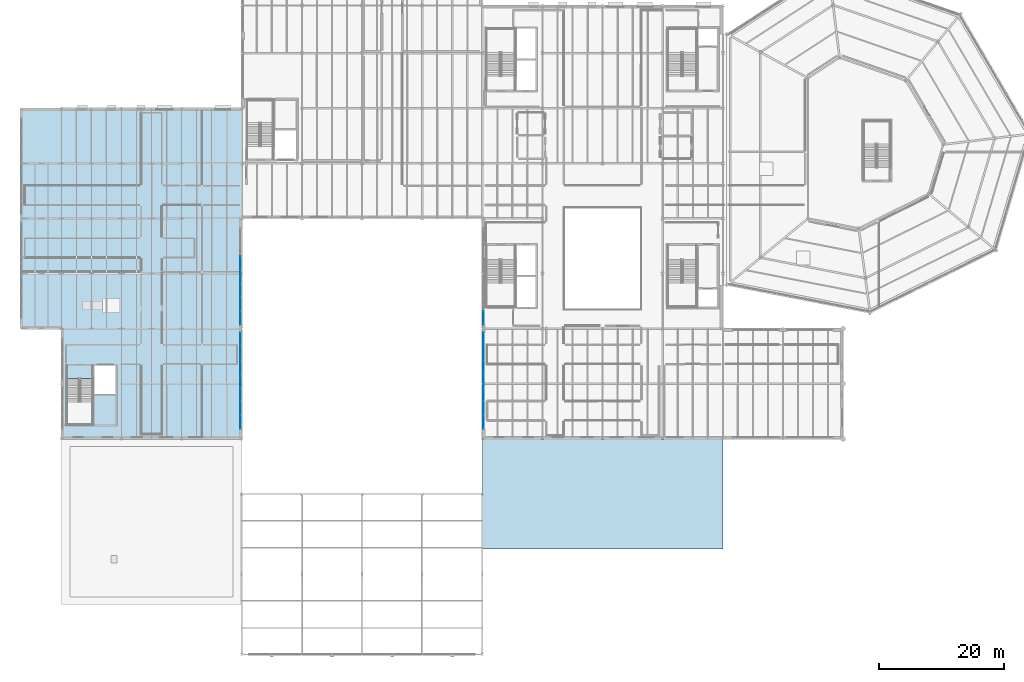
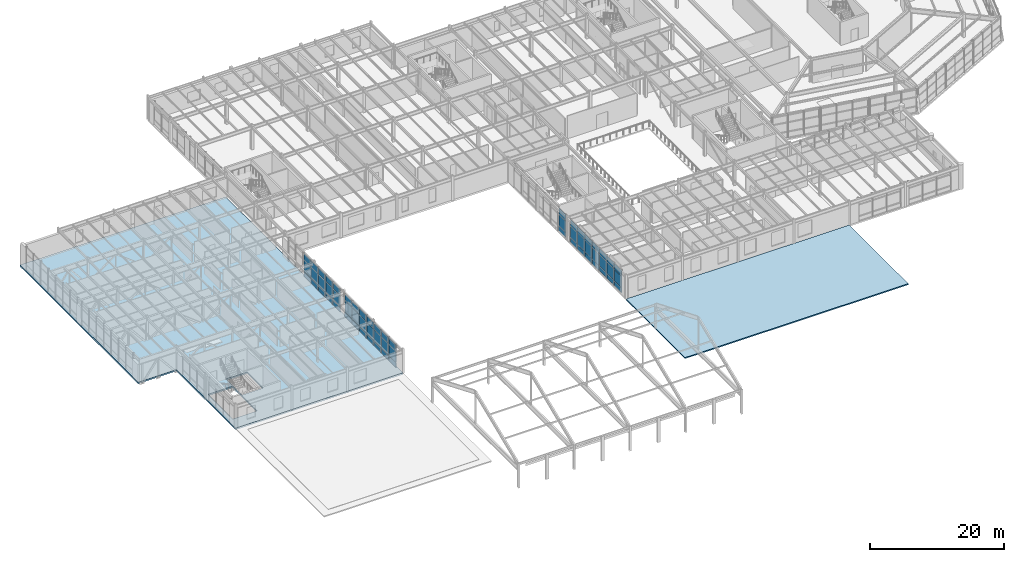
# One storey, part 50 of 88: 60 plates, 2 slabs, 4 elements without a shape of their own.
"""IFC4 building model written with IfcOpenShell, lengths in metres."""

import ifcopenshell
import ifcopenshell.guid

model = None  # the IFC model being written
_history = None  # IfcOwnerHistory: only IFC2X3 demands one
_inside = {}  # id of a spatial element -> (the spatial element, [elements in it])
_under = {}  # id of a project, library or spatial element -> (it, [spatial elements below it])
_declared = {}  # id of a project -> (the project, [libraries it declares])
_typed = {}  # id of a type object -> (the type object, [elements of that type])
_made_of = {}  # id of a material, layer set ... -> (it, [elements and type objects made of it])


def new_model(schema):
    """Start an empty IFC model of exactly this schema.

    Asked for "IFC4X3", IfcOpenShell would pick the latest addendum, in which some entities
    have other attributes; the version numbers below select the first issue.
    IFC2X3 requires an IfcOwnerHistory on every rooted entity: one is made here for all.
    """
    global model, _history
    if schema == "IFC4X3":
        model = ifcopenshell.file(schema_version=(4, 3, 0, 0))
    else:
        model = ifcopenshell.file(schema=schema)
    _inside.clear()
    _under.clear()
    _declared.clear()
    _typed.clear()
    _made_of.clear()
    _history = None
    if model.schema == "IFC2X3":
        org = make("IfcOrganization", Name="unknown")
        user = make(
            "IfcPersonAndOrganization",
            ThePerson=make("IfcPerson", FamilyName="unknown"),
            TheOrganization=org,
        )
        app = make(
            "IfcApplication",
            ApplicationDeveloper=org,
            Version="unknown",
            ApplicationFullName="unknown",
            ApplicationIdentifier="unknown",
        )
        _history = make(
            "IfcOwnerHistory",
            OwningUser=user,
            OwningApplication=app,
            ChangeAction="ADDED",
            CreationDate=0,
        )
    return model


def make(cls, **values):
    """One entity of the class cls with the attributes given. An attribute that is None is left unset."""
    return model.create_entity(
        cls, **{name: value for name, value in values.items() if value is not None}
    )


def rooted(cls, **values):
    """An entity with a GlobalId (a new one), such as an element, a storey or a relation."""
    return make(cls, GlobalId=ifcopenshell.guid.new(), OwnerHistory=_history, **values)


def si_unit(unit_type, name, prefix=None):
    """IfcSIUnit, for example si_unit("LENGTHUNIT", "METRE", prefix="MILLI")."""
    return make("IfcSIUnit", UnitType=unit_type, Prefix=prefix, Name=name)


def assignment(units):
    """IfcUnitAssignment: the units of a project."""
    return None if units is None else make("IfcUnitAssignment", Units=units)


def point(xyz):
    """IfcCartesianPoint."""
    return None if xyz is None else make("IfcCartesianPoint", Coordinates=xyz)


def direction(xyz):
    """IfcDirection."""
    return None if xyz is None else make("IfcDirection", DirectionRatios=xyz)


def frame(location, z_axis=None, x_axis=None):
    """IfcAxis2Placement3D, a coordinate frame: its origin and axes. An axis left out is left unset."""
    return make(
        "IfcAxis2Placement3D",
        Location=point(location),
        Axis=direction(z_axis),
        RefDirection=direction(x_axis),
    )


def frame_2d(location, x_axis=None):
    """IfcAxis2Placement2D, a coordinate frame in the plane: its origin and x axis."""
    return make(
        "IfcAxis2Placement2D", Location=point(location), RefDirection=direction(x_axis)
    )


def origin():
    """The frame at (0, 0, 0) with its axes left unset."""
    return frame((0.0, 0.0, 0.0))


def origin_2d():
    """The frame at (0, 0) in the plane with its x axis left unset."""
    return frame_2d((0.0, 0.0))


def place(relative_to, where):
    """IfcLocalPlacement: puts the frame where relative to a parent placement (None: the world)."""
    return make(
        "IfcLocalPlacement", PlacementRelTo=relative_to, RelativePlacement=where
    )


def context(
    kind, dimensions, precision=None, world=None, true_north=None, identifier=None
):
    """IfcGeometricRepresentationContext, for example the 3D "Model" context."""
    return make(
        "IfcGeometricRepresentationContext",
        ContextIdentifier=identifier,
        ContextType=kind,
        CoordinateSpaceDimension=dimensions,
        Precision=precision,
        WorldCoordinateSystem=world,
        TrueNorth=true_north,
    )


def subcontext(parent, identifier, kind, view, scale=None):
    """IfcGeometricRepresentationSubContext, for example "Body" below "Model"."""
    return make(
        "IfcGeometricRepresentationSubContext",
        ContextIdentifier=identifier,
        ContextType=kind,
        ParentContext=parent,
        TargetScale=scale,
        TargetView=view,
    )


def project(units=None, contexts=None):
    """IfcProject with its units and contexts."""
    return rooted(
        "IfcProject",
        Name="project",
        RepresentationContexts=contexts,
        UnitsInContext=assignment(units),
    )


def spatial(cls, under=None, at=None, **own):
    """A site, building, storey or space (cls), placed at a placement, below another one or the project."""
    s = rooted(cls, ObjectPlacement=at, **own)
    if under is not None:
        _under.setdefault(under.id(), (under, []))[1].append(s)
    return s


def polyline(points):
    """IfcPolyline through the points."""
    return make("IfcPolyline", Points=[point(p) for p in points])


def profile(cls, at=None, kind="AREA", **sizes):
    """A parametric profile (cls). Its sizes go by their IFC names, for example OverallWidth=200.0."""
    return make(cls, ProfileType=kind, Position=at, **sizes)


def rectangle(**sizes):
    """IfcRectangleProfileDef."""
    return profile("IfcRectangleProfileDef", **sizes)


def outline(outer, holes=None, kind="AREA"):
    """IfcArbitraryClosedProfileDef: a profile drawn as a closed curve; with holes, ...WithVoids."""
    if holes is None:
        return make("IfcArbitraryClosedProfileDef", ProfileType=kind, OuterCurve=outer)
    return make(
        "IfcArbitraryProfileDefWithVoids",
        ProfileType=kind,
        OuterCurve=outer,
        InnerCurves=holes,
    )


def extrude(swept, where, along, depth):
    """IfcExtrudedAreaSolid: the profile swept, set in the frame where, extruded along a direction by depth."""
    return make(
        "IfcExtrudedAreaSolid",
        SweptArea=swept,
        Position=where,
        ExtrudedDirection=direction(along),
        Depth=depth,
    )


def shape(context_of_items, identifier, shape_type, items):
    """IfcShapeRepresentation: the items that make up one representation, for example the "Body"."""
    return make(
        "IfcShapeRepresentation",
        ContextOfItems=context_of_items,
        RepresentationIdentifier=identifier,
        RepresentationType=shape_type,
        Items=items,
    )


def material(Name=None, Category=None):
    """IfcMaterial."""
    return make("IfcMaterial", Name=Name, Category=Category)


def layer(
    of_material, thickness, ventilated=None, Name=None, Category=None, Priority=None
):
    """IfcMaterialLayer: one layer of a wall or slab, of a material (None: an air gap)."""
    return make(
        "IfcMaterialLayer",
        Material=of_material,
        LayerThickness=thickness,
        IsVentilated=ventilated,
        Name=Name,
        Category=Category,
        Priority=Priority,
    )


def layer_set(layers, Name=None):
    """IfcMaterialLayerSet."""
    return make("IfcMaterialLayerSet", MaterialLayers=layers, LayerSetName=Name)


def made_of(thing, what):
    """Note that an element or type object is made of a material, layer set ...; save() writes the relation."""
    if what is not None:
        _made_of.setdefault(what.id(), (what, []))[1].append(thing)
    return thing


def type_object(cls, material=None, **own):
    """A type object (cls), such as IfcWallType, which elements share."""
    return made_of(rooted(cls, **own), material)


def element(
    cls,
    number,
    at=None,
    inside=None,
    cuts=None,
    type_object=None,
    material=None,
    context=None,
    identifier="Body",
    shape_type=None,
    held_by="IfcProductDefinitionShape",
    body=None,
    shapes=None,
    **own,
):
    """One element of the class cls, such as IfcWall. Its Tag is "e" and its number.

    at: its placement. inside: the storey or other place that contains it. cuts: it is an
    opening in that element (IfcRelVoidsElement). A single representation is given by context,
    identifier, shape_type and body (its items); several are given by shapes. held_by: the class
    of the entity that holds the representations. save() writes the other relations.
    """
    e = rooted(cls, Tag="e%d" % number, ObjectPlacement=at, **own)
    if body is not None:
        shapes = [shape(context, identifier, shape_type, body)]
    if shapes is not None:
        e.Representation = make(held_by, Representations=shapes)
    if inside is not None:
        _inside.setdefault(inside.id(), (inside, []))[1].append(e)
    if cuts is not None:
        rooted(
            "IfcRelVoidsElement", RelatingBuildingElement=cuts, RelatedOpeningElement=e
        )
    if type_object is not None:
        _typed.setdefault(type_object.id(), (type_object, []))[1].append(e)
    return made_of(e, material)


def aggregate(whole, parts):
    """IfcRelAggregates: a whole, such as a stair, and the parts it consists of."""
    return rooted("IfcRelAggregates", RelatingObject=whole, RelatedObjects=parts)


def save(model, path):
    """Write the relations noted so far, then the file.

    IfcRelAggregates (storeys below a building ...), IfcRelContainedInSpatialStructure (elements
    in a storey), IfcRelDefinesByType, IfcRelAssociatesMaterial and IfcRelDeclares: one each for
    every whole, place, type object, material and project.
    """
    for whole, parts in _under.values():
        aggregate(whole, parts)
    for where, things in _inside.values():
        rooted(
            "IfcRelContainedInSpatialStructure",
            RelatedElements=things,
            RelatingStructure=where,
        )
    for kind, things in _typed.values():
        rooted("IfcRelDefinesByType", RelatedObjects=things, RelatingType=kind)
    for what, things in _made_of.values():
        rooted("IfcRelAssociatesMaterial", RelatedObjects=things, RelatingMaterial=what)
    for by, libraries in _declared.values():
        rooted("IfcRelDeclares", RelatingContext=by, RelatedDefinitions=libraries)
    model.write(path)


model = new_model("IFC4")

# Units and contexts
model_context = context("Model", 3, precision=1e-05, world=origin(), true_north=direction((0.0, 1.0)))
body_context = subcontext(model_context, "Body", "Model", "MODEL_VIEW")
ifc_project = project(units=[si_unit("LENGTHUNIT", "METRE"), si_unit("AREAUNIT", "SQUARE_METRE"), si_unit("VOLUMEUNIT", "CUBIC_METRE"), si_unit("PLANEANGLEUNIT", "RADIAN"), si_unit("MASSUNIT", "GRAM", prefix="KILO")], contexts=[model_context])

# Site, building, storey
site_placement = place(None, origin())
site = spatial("IfcSite", under=ifc_project, at=site_placement, CompositionType="ELEMENT")
building_placement = place(site_placement, origin())
building = spatial("IfcBuilding", under=site, at=building_placement, Name="Sarnbrook Museum", CompositionType="ELEMENT")
storey_placement = place(building_placement, frame((0.0, 0.0, 10.10009765625)))
storey = spatial("IfcBuildingStorey", under=building, at=storey_placement, Name="L02", CompositionType="ELEMENT", Elevation=10.10009765625)

# Curtain wall, plates
ifc_material_1 = material(Name="Thermally Broken Anodised Aluminium 6063-T6", Category="aluminium")
curtain_wall_type = type_object("IfcCurtainWallType", Name="CurtainWall_GalleryRibbon", PredefinedType="NOTDEFINED", material=ifc_material_1)
curtain_wall_1_placement = place(storey_placement, origin())
curtain_wall_1 = element("IfcCurtainWall", 1, at=curtain_wall_1_placement, inside=storey, type_object=curtain_wall_type, Name="Gallery Ribbon Curtain Wall L02-12.1", PredefinedType="NOTDEFINED")
ifc_material_2 = material(Name="Double-Glazed Low-Iron Laminated Safety Glass", Category="glass")
ifc_layer_1 = layer(ifc_material_2, 0.031982421875)
ifc_layer_set_1 = layer_set([ifc_layer_1], Name="Double-Glazed Low-Iron Laminated Safety Glass")
plate_type_1 = type_object("IfcPlateType", Name="CW_GlazedPanel_32", PredefinedType="CURTAIN_PANEL", material=ifc_layer_set_1)
plate_1_placement = place(storey_placement, frame((42.18212890625, 41.9169921875, 1.949951171875), z_axis=(1.0, 0.0, 0.0), x_axis=(0.0, 1.0, 0.0)))
plate_1 = element("IfcPlate", 2, at=plate_1_placement, type_object=plate_type_1, Name="Gallery Ribbon Curtain Wall L02-12.1 Glazed Panel 1-2", PredefinedType="CURTAIN_PANEL", context=body_context, shape_type="SweptSolid", body=[
    extrude(rectangle(XDim=2.119384765625, YDim=2.030029296875, at=origin_2d()), origin(), (0.0, 0.0, 1.0), 0.031982421875),
])
plate_2_placement = place(storey_placement, frame((42.18212890625, 41.9169921875, 3.579833984375), z_axis=(1.0, 0.0, 0.0), x_axis=(0.0, 1.0, 0.0)))
plate_2 = element("IfcPlate", 3, at=plate_2_placement, type_object=plate_type_1, Name="Gallery Ribbon Curtain Wall L02-12.1 Glazed Panel 1-3", PredefinedType="CURTAIN_PANEL", context=body_context, shape_type="SweptSolid", body=[
    extrude(rectangle(XDim=2.119384765625, YDim=1.090087890625, at=origin_2d()), origin(), (0.0, 0.0, 1.0), 0.031982421875),
])
plate_3_placement = place(storey_placement, frame((42.18212890625, 44.111328125, 1.949951171875), z_axis=(1.0, 0.0, 0.0), x_axis=(0.0, 1.0, 0.0)))
plate_3 = element("IfcPlate", 4, at=plate_3_placement, type_object=plate_type_1, Name="Gallery Ribbon Curtain Wall L02-12.1 Glazed Panel 2-2", PredefinedType="CURTAIN_PANEL", context=body_context, shape_type="SweptSolid", body=[
    extrude(rectangle(XDim=2.119384765625, YDim=2.030029296875, at=origin_2d()), origin(), (0.0, 0.0, 1.0), 0.031982421875),
])
plate_4_placement = place(storey_placement, frame((42.18212890625, 44.111328125, 3.579833984375), z_axis=(1.0, 0.0, 0.0), x_axis=(0.0, 1.0, 0.0)))
plate_4 = element("IfcPlate", 5, at=plate_4_placement, type_object=plate_type_1, Name="Gallery Ribbon Curtain Wall L02-12.1 Glazed Panel 2-3", PredefinedType="CURTAIN_PANEL", context=body_context, shape_type="SweptSolid", body=[
    extrude(rectangle(XDim=2.119384765625, YDim=1.090087890625, at=origin_2d()), origin(), (0.0, 0.0, 1.0), 0.031982421875),
])
plate_5_placement = place(storey_placement, frame((42.18212890625, 46.3056640625, 1.949951171875), z_axis=(1.0, 0.0, 0.0), x_axis=(0.0, 1.0, 0.0)))
plate_5 = element("IfcPlate", 6, at=plate_5_placement, type_object=plate_type_1, Name="Gallery Ribbon Curtain Wall L02-12.1 Glazed Panel 3-2", PredefinedType="CURTAIN_PANEL", context=body_context, shape_type="SweptSolid", body=[
    extrude(rectangle(XDim=2.119384765625, YDim=2.030029296875, at=origin_2d()), origin(), (0.0, 0.0, 1.0), 0.031982421875),
])
plate_6_placement = place(storey_placement, frame((42.18212890625, 46.3056640625, 3.579833984375), z_axis=(1.0, 0.0, 0.0), x_axis=(0.0, 1.0, 0.0)))
plate_6 = element("IfcPlate", 7, at=plate_6_placement, type_object=plate_type_1, Name="Gallery Ribbon Curtain Wall L02-12.1 Glazed Panel 3-3", PredefinedType="CURTAIN_PANEL", context=body_context, shape_type="SweptSolid", body=[
    extrude(rectangle(XDim=2.119384765625, YDim=1.090087890625, at=origin_2d()), origin(), (0.0, 0.0, 1.0), 0.031982421875),
])
plate_7_placement = place(storey_placement, frame((42.18212890625, 48.5, 1.949951171875), z_axis=(1.0, 0.0, 0.0), x_axis=(0.0, 1.0, 0.0)))
plate_7 = element("IfcPlate", 8, at=plate_7_placement, type_object=plate_type_1, Name="Gallery Ribbon Curtain Wall L02-12.1 Glazed Panel 4-2", PredefinedType="CURTAIN_PANEL", context=body_context, shape_type="SweptSolid", body=[
    extrude(rectangle(XDim=2.119384765625, YDim=2.030029296875, at=origin_2d()), origin(), (0.0, 0.0, 1.0), 0.031982421875),
])
plate_8_placement = place(storey_placement, frame((42.18212890625, 48.5, 3.579833984375), z_axis=(1.0, 0.0, 0.0), x_axis=(0.0, 1.0, 0.0)))
plate_8 = element("IfcPlate", 9, at=plate_8_placement, type_object=plate_type_1, Name="Gallery Ribbon Curtain Wall L02-12.1 Glazed Panel 4-3", PredefinedType="CURTAIN_PANEL", context=body_context, shape_type="SweptSolid", body=[
    extrude(rectangle(XDim=2.119384765625, YDim=1.090087890625, at=origin_2d()), origin(), (0.0, 0.0, 1.0), 0.031982421875),
])
plate_9_placement = place(storey_placement, frame((42.18212890625, 50.6943359375, 1.949951171875), z_axis=(1.0, 0.0, 0.0), x_axis=(0.0, 1.0, 0.0)))
plate_9 = element("IfcPlate", 10, at=plate_9_placement, type_object=plate_type_1, Name="Gallery Ribbon Curtain Wall L02-12.1 Glazed Panel 5-2", PredefinedType="CURTAIN_PANEL", context=body_context, shape_type="SweptSolid", body=[
    extrude(rectangle(XDim=2.119384765625, YDim=2.030029296875, at=origin_2d()), origin(), (0.0, 0.0, 1.0), 0.031982421875),
])
plate_10_placement = place(storey_placement, frame((42.18212890625, 50.6943359375, 3.579833984375), z_axis=(1.0, 0.0, 0.0), x_axis=(0.0, 1.0, 0.0)))
plate_10 = element("IfcPlate", 11, at=plate_10_placement, type_object=plate_type_1, Name="Gallery Ribbon Curtain Wall L02-12.1 Glazed Panel 5-3", PredefinedType="CURTAIN_PANEL", context=body_context, shape_type="SweptSolid", body=[
    extrude(rectangle(XDim=2.119384765625, YDim=1.090087890625, at=origin_2d()), origin(), (0.0, 0.0, 1.0), 0.031982421875),
])
plate_11_placement = place(storey_placement, frame((42.18212890625, 52.888671875, 1.949951171875), z_axis=(1.0, 0.0, 0.0), x_axis=(0.0, 1.0, 0.0)))
plate_11 = element("IfcPlate", 12, at=plate_11_placement, type_object=plate_type_1, Name="Gallery Ribbon Curtain Wall L02-12.1 Glazed Panel 6-2", PredefinedType="CURTAIN_PANEL", context=body_context, shape_type="SweptSolid", body=[
    extrude(rectangle(XDim=2.119384765625, YDim=2.030029296875, at=origin_2d()), origin(), (0.0, 0.0, 1.0), 0.031982421875),
])
plate_12_placement = place(storey_placement, frame((42.18212890625, 52.888671875, 3.579833984375), z_axis=(1.0, 0.0, 0.0), x_axis=(0.0, 1.0, 0.0)))
plate_12 = element("IfcPlate", 13, at=plate_12_placement, type_object=plate_type_1, Name="Gallery Ribbon Curtain Wall L02-12.1 Glazed Panel 6-3", PredefinedType="CURTAIN_PANEL", context=body_context, shape_type="SweptSolid", body=[
    extrude(rectangle(XDim=2.119384765625, YDim=1.090087890625, at=origin_2d()), origin(), (0.0, 0.0, 1.0), 0.031982421875),
])
plate_13_placement = place(storey_placement, frame((42.18212890625, 55.0830078125, 1.949951171875), z_axis=(1.0, 0.0, 0.0), x_axis=(0.0, 1.0, 0.0)))
plate_13 = element("IfcPlate", 14, at=plate_13_placement, type_object=plate_type_1, Name="Gallery Ribbon Curtain Wall L02-12.1 Glazed Panel 7-2", PredefinedType="CURTAIN_PANEL", context=body_context, shape_type="SweptSolid", body=[
    extrude(rectangle(XDim=2.119384765625, YDim=2.030029296875, at=origin_2d()), origin(), (0.0, 0.0, 1.0), 0.031982421875),
])
plate_14_placement = place(storey_placement, frame((42.18212890625, 55.0830078125, 3.579833984375), z_axis=(1.0, 0.0, 0.0), x_axis=(0.0, 1.0, 0.0)))
plate_14 = element("IfcPlate", 15, at=plate_14_placement, type_object=plate_type_1, Name="Gallery Ribbon Curtain Wall L02-12.1 Glazed Panel 7-3", PredefinedType="CURTAIN_PANEL", context=body_context, shape_type="SweptSolid", body=[
    extrude(rectangle(XDim=2.119384765625, YDim=1.090087890625, at=origin_2d()), origin(), (0.0, 0.0, 1.0), 0.031982421875),
])

curtain_wall_2_placement = place(storey_placement, origin())
curtain_wall_2 = element("IfcCurtainWall", 16, at=curtain_wall_2_placement, inside=storey, type_object=curtain_wall_type, Name="Gallery Ribbon Curtain Wall L02-12.2", PredefinedType="NOTDEFINED")
plate_15_placement = place(storey_placement, frame((42.18212890625, 58.51708984375, 1.949951171875), z_axis=(1.0, 0.0, 0.0), x_axis=(0.0, 1.0, 0.0)))
plate_15 = element("IfcPlate", 17, at=plate_15_placement, type_object=plate_type_1, Name="Gallery Ribbon Curtain Wall L02-12.2 Glazed Panel 1-2", PredefinedType="CURTAIN_PANEL", context=body_context, shape_type="SweptSolid", body=[
    extrude(rectangle(XDim=2.119384765625, YDim=2.030029296875, at=origin_2d()), origin(), (0.0, 0.0, 1.0), 0.031982421875),
])
plate_16_placement = place(storey_placement, frame((42.18212890625, 58.51708984375, 3.579833984375), z_axis=(1.0, 0.0, 0.0), x_axis=(0.0, 1.0, 0.0)))
plate_16 = element("IfcPlate", 18, at=plate_16_placement, type_object=plate_type_1, Name="Gallery Ribbon Curtain Wall L02-12.2 Glazed Panel 1-3", PredefinedType="CURTAIN_PANEL", context=body_context, shape_type="SweptSolid", body=[
    extrude(rectangle(XDim=2.119384765625, YDim=1.090087890625, at=origin_2d()), origin(), (0.0, 0.0, 1.0), 0.031982421875),
])
plate_17_placement = place(storey_placement, frame((42.18212890625, 60.71142578125, 1.949951171875), z_axis=(1.0, 0.0, 0.0), x_axis=(0.0, 1.0, 0.0)))
plate_17 = element("IfcPlate", 19, at=plate_17_placement, type_object=plate_type_1, Name="Gallery Ribbon Curtain Wall L02-12.2 Glazed Panel 2-2", PredefinedType="CURTAIN_PANEL", context=body_context, shape_type="SweptSolid", body=[
    extrude(rectangle(XDim=2.119384765625, YDim=2.030029296875, at=origin_2d()), origin(), (0.0, 0.0, 1.0), 0.031982421875),
])
plate_18_placement = place(storey_placement, frame((42.18212890625, 60.71142578125, 3.579833984375), z_axis=(1.0, 0.0, 0.0), x_axis=(0.0, 1.0, 0.0)))
plate_18 = element("IfcPlate", 20, at=plate_18_placement, type_object=plate_type_1, Name="Gallery Ribbon Curtain Wall L02-12.2 Glazed Panel 2-3", PredefinedType="CURTAIN_PANEL", context=body_context, shape_type="SweptSolid", body=[
    extrude(rectangle(XDim=2.119384765625, YDim=1.090087890625, at=origin_2d()), origin(), (0.0, 0.0, 1.0), 0.031982421875),
])
plate_19_placement = place(storey_placement, frame((42.18212890625, 62.90576171875, 1.949951171875), z_axis=(1.0, 0.0, 0.0), x_axis=(0.0, 1.0, 0.0)))
plate_19 = element("IfcPlate", 21, at=plate_19_placement, type_object=plate_type_1, Name="Gallery Ribbon Curtain Wall L02-12.2 Glazed Panel 3-2", PredefinedType="CURTAIN_PANEL", context=body_context, shape_type="SweptSolid", body=[
    extrude(rectangle(XDim=2.119384765625, YDim=2.030029296875, at=origin_2d()), origin(), (0.0, 0.0, 1.0), 0.031982421875),
])
plate_20_placement = place(storey_placement, frame((42.18212890625, 62.90576171875, 3.579833984375), z_axis=(1.0, 0.0, 0.0), x_axis=(0.0, 1.0, 0.0)))
plate_20 = element("IfcPlate", 22, at=plate_20_placement, type_object=plate_type_1, Name="Gallery Ribbon Curtain Wall L02-12.2 Glazed Panel 3-3", PredefinedType="CURTAIN_PANEL", context=body_context, shape_type="SweptSolid", body=[
    extrude(rectangle(XDim=2.119384765625, YDim=1.090087890625, at=origin_2d()), origin(), (0.0, 0.0, 1.0), 0.031982421875),
])
plate_21_placement = place(storey_placement, frame((42.18212890625, 65.10009765625, 1.949951171875), z_axis=(1.0, 0.0, 0.0), x_axis=(0.0, 1.0, 0.0)))
plate_21 = element("IfcPlate", 23, at=plate_21_placement, type_object=plate_type_1, Name="Gallery Ribbon Curtain Wall L02-12.2 Glazed Panel 4-2", PredefinedType="CURTAIN_PANEL", context=body_context, shape_type="SweptSolid", body=[
    extrude(rectangle(XDim=2.119384765625, YDim=2.030029296875, at=origin_2d()), origin(), (0.0, 0.0, 1.0), 0.031982421875),
])
plate_22_placement = place(storey_placement, frame((42.18212890625, 65.10009765625, 3.579833984375), z_axis=(1.0, 0.0, 0.0), x_axis=(0.0, 1.0, 0.0)))
plate_22 = element("IfcPlate", 24, at=plate_22_placement, type_object=plate_type_1, Name="Gallery Ribbon Curtain Wall L02-12.2 Glazed Panel 4-3", PredefinedType="CURTAIN_PANEL", context=body_context, shape_type="SweptSolid", body=[
    extrude(rectangle(XDim=2.119384765625, YDim=1.090087890625, at=origin_2d()), origin(), (0.0, 0.0, 1.0), 0.031982421875),
])
plate_23_placement = place(storey_placement, frame((42.18212890625, 67.294189453125, 1.949951171875), z_axis=(1.0, 0.0, 0.0), x_axis=(0.0, 1.0, 0.0)))
plate_23 = element("IfcPlate", 25, at=plate_23_placement, type_object=plate_type_1, Name="Gallery Ribbon Curtain Wall L02-12.2 Glazed Panel 5-2", PredefinedType="CURTAIN_PANEL", context=body_context, shape_type="SweptSolid", body=[
    extrude(rectangle(XDim=2.119384765625, YDim=2.030029296875, at=origin_2d()), origin(), (0.0, 0.0, 1.0), 0.031982421875),
])
plate_24_placement = place(storey_placement, frame((42.18212890625, 67.294189453125, 3.579833984375), z_axis=(1.0, 0.0, 0.0), x_axis=(0.0, 1.0, 0.0)))
plate_24 = element("IfcPlate", 26, at=plate_24_placement, type_object=plate_type_1, Name="Gallery Ribbon Curtain Wall L02-12.2 Glazed Panel 5-3", PredefinedType="CURTAIN_PANEL", context=body_context, shape_type="SweptSolid", body=[
    extrude(rectangle(XDim=2.119384765625, YDim=1.090087890625, at=origin_2d()), origin(), (0.0, 0.0, 1.0), 0.031982421875),
])

curtain_wall_3_placement = place(storey_placement, origin())
curtain_wall_3 = element("IfcCurtainWall", 27, at=curtain_wall_3_placement, inside=storey, type_object=curtain_wall_type, Name="Gallery Ribbon Curtain Wall L02-14.1", PredefinedType="NOTDEFINED")
plate_25_placement = place(storey_placement, frame((81.01806640625, 58.51708984375, 1.949951171875), z_axis=(-1.0, 0.0, 0.0), x_axis=(0.0, -1.0, 0.0)))
plate_25 = element("IfcPlate", 28, at=plate_25_placement, type_object=plate_type_1, Name="Gallery Ribbon Curtain Wall L02-14.1 Glazed Panel 7-2", PredefinedType="CURTAIN_PANEL", context=body_context, shape_type="SweptSolid", body=[
    extrude(rectangle(XDim=2.119384765625, YDim=2.030029296875, at=origin_2d()), origin(), (0.0, 0.0, 1.0), 0.031982421875),
])
plate_26_placement = place(storey_placement, frame((81.01806640625, 58.51708984375, 3.579833984375), z_axis=(-1.0, 0.0, 0.0), x_axis=(0.0, -1.0, 0.0)))
plate_26 = element("IfcPlate", 29, at=plate_26_placement, type_object=plate_type_1, Name="Gallery Ribbon Curtain Wall L02-14.1 Glazed Panel 7-3", PredefinedType="CURTAIN_PANEL", context=body_context, shape_type="SweptSolid", body=[
    extrude(rectangle(XDim=2.119384765625, YDim=1.090087890625, at=origin_2d()), origin(), (0.0, 0.0, 1.0), 0.031982421875),
])

curtain_wall_4_placement = place(storey_placement, origin())
curtain_wall_4 = element("IfcCurtainWall", 30, at=curtain_wall_4_placement, inside=storey, type_object=curtain_wall_type, Name="Gallery Ribbon Curtain Wall L02-14.2", PredefinedType="NOTDEFINED")
plate_27_placement = place(storey_placement, frame((81.01806640625, 55.0830078125, 1.949951171875), z_axis=(-1.0, 0.0, 0.0), x_axis=(0.0, -1.0, 0.0)))
plate_27 = element("IfcPlate", 31, at=plate_27_placement, type_object=plate_type_1, Name="Gallery Ribbon Curtain Wall L02-14.2 Glazed Panel 1-2", PredefinedType="CURTAIN_PANEL", context=body_context, shape_type="SweptSolid", body=[
    extrude(rectangle(XDim=2.119384765625, YDim=2.030029296875, at=origin_2d()), origin(), (0.0, 0.0, 1.0), 0.031982421875),
])
plate_28_placement = place(storey_placement, frame((81.01806640625, 55.0830078125, 3.579833984375), z_axis=(-1.0, 0.0, 0.0), x_axis=(0.0, -1.0, 0.0)))
plate_28 = element("IfcPlate", 32, at=plate_28_placement, type_object=plate_type_1, Name="Gallery Ribbon Curtain Wall L02-14.2 Glazed Panel 1-3", PredefinedType="CURTAIN_PANEL", context=body_context, shape_type="SweptSolid", body=[
    extrude(rectangle(XDim=2.119384765625, YDim=1.090087890625, at=origin_2d()), origin(), (0.0, 0.0, 1.0), 0.031982421875),
])
plate_29_placement = place(storey_placement, frame((81.01806640625, 52.888671875, 1.949951171875), z_axis=(-1.0, 0.0, 0.0), x_axis=(0.0, -1.0, 0.0)))
plate_29 = element("IfcPlate", 33, at=plate_29_placement, type_object=plate_type_1, Name="Gallery Ribbon Curtain Wall L02-14.2 Glazed Panel 2-2", PredefinedType="CURTAIN_PANEL", context=body_context, shape_type="SweptSolid", body=[
    extrude(rectangle(XDim=2.119384765625, YDim=2.030029296875, at=origin_2d()), origin(), (0.0, 0.0, 1.0), 0.031982421875),
])
plate_30_placement = place(storey_placement, frame((81.01806640625, 52.888671875, 3.579833984375), z_axis=(-1.0, 0.0, 0.0), x_axis=(0.0, -1.0, 0.0)))
plate_30 = element("IfcPlate", 34, at=plate_30_placement, type_object=plate_type_1, Name="Gallery Ribbon Curtain Wall L02-14.2 Glazed Panel 2-3", PredefinedType="CURTAIN_PANEL", context=body_context, shape_type="SweptSolid", body=[
    extrude(rectangle(XDim=2.119384765625, YDim=1.090087890625, at=origin_2d()), origin(), (0.0, 0.0, 1.0), 0.031982421875),
])
plate_31_placement = place(storey_placement, frame((81.01806640625, 50.6943359375, 1.949951171875), z_axis=(-1.0, 0.0, 0.0), x_axis=(0.0, -1.0, 0.0)))
plate_31 = element("IfcPlate", 35, at=plate_31_placement, type_object=plate_type_1, Name="Gallery Ribbon Curtain Wall L02-14.2 Glazed Panel 3-2", PredefinedType="CURTAIN_PANEL", context=body_context, shape_type="SweptSolid", body=[
    extrude(rectangle(XDim=2.119384765625, YDim=2.030029296875, at=origin_2d()), origin(), (0.0, 0.0, 1.0), 0.031982421875),
])
plate_32_placement = place(storey_placement, frame((81.01806640625, 50.6943359375, 3.579833984375), z_axis=(-1.0, 0.0, 0.0), x_axis=(0.0, -1.0, 0.0)))
plate_32 = element("IfcPlate", 36, at=plate_32_placement, type_object=plate_type_1, Name="Gallery Ribbon Curtain Wall L02-14.2 Glazed Panel 3-3", PredefinedType="CURTAIN_PANEL", context=body_context, shape_type="SweptSolid", body=[
    extrude(rectangle(XDim=2.119384765625, YDim=1.090087890625, at=origin_2d()), origin(), (0.0, 0.0, 1.0), 0.031982421875),
])
plate_33_placement = place(storey_placement, frame((81.01806640625, 48.5, 1.949951171875), z_axis=(-1.0, 0.0, 0.0), x_axis=(0.0, -1.0, 0.0)))
plate_33 = element("IfcPlate", 37, at=plate_33_placement, type_object=plate_type_1, Name="Gallery Ribbon Curtain Wall L02-14.2 Glazed Panel 4-2", PredefinedType="CURTAIN_PANEL", context=body_context, shape_type="SweptSolid", body=[
    extrude(rectangle(XDim=2.119384765625, YDim=2.030029296875, at=origin_2d()), origin(), (0.0, 0.0, 1.0), 0.031982421875),
])
plate_34_placement = place(storey_placement, frame((81.01806640625, 48.5, 3.579833984375), z_axis=(-1.0, 0.0, 0.0), x_axis=(0.0, -1.0, 0.0)))
plate_34 = element("IfcPlate", 38, at=plate_34_placement, type_object=plate_type_1, Name="Gallery Ribbon Curtain Wall L02-14.2 Glazed Panel 4-3", PredefinedType="CURTAIN_PANEL", context=body_context, shape_type="SweptSolid", body=[
    extrude(rectangle(XDim=2.119384765625, YDim=1.090087890625, at=origin_2d()), origin(), (0.0, 0.0, 1.0), 0.031982421875),
])
plate_35_placement = place(storey_placement, frame((81.01806640625, 46.3056640625, 1.949951171875), z_axis=(-1.0, 0.0, 0.0), x_axis=(0.0, -1.0, 0.0)))
plate_35 = element("IfcPlate", 39, at=plate_35_placement, type_object=plate_type_1, Name="Gallery Ribbon Curtain Wall L02-14.2 Glazed Panel 5-2", PredefinedType="CURTAIN_PANEL", context=body_context, shape_type="SweptSolid", body=[
    extrude(rectangle(XDim=2.119384765625, YDim=2.030029296875, at=origin_2d()), origin(), (0.0, 0.0, 1.0), 0.031982421875),
])
plate_36_placement = place(storey_placement, frame((81.01806640625, 46.3056640625, 3.579833984375), z_axis=(-1.0, 0.0, 0.0), x_axis=(0.0, -1.0, 0.0)))
plate_36 = element("IfcPlate", 40, at=plate_36_placement, type_object=plate_type_1, Name="Gallery Ribbon Curtain Wall L02-14.2 Glazed Panel 5-3", PredefinedType="CURTAIN_PANEL", context=body_context, shape_type="SweptSolid", body=[
    extrude(rectangle(XDim=2.119384765625, YDim=1.090087890625, at=origin_2d()), origin(), (0.0, 0.0, 1.0), 0.031982421875),
])
plate_37_placement = place(storey_placement, frame((81.01806640625, 44.111328125, 1.949951171875), z_axis=(-1.0, 0.0, 0.0), x_axis=(0.0, -1.0, 0.0)))
plate_37 = element("IfcPlate", 41, at=plate_37_placement, type_object=plate_type_1, Name="Gallery Ribbon Curtain Wall L02-14.2 Glazed Panel 6-2", PredefinedType="CURTAIN_PANEL", context=body_context, shape_type="SweptSolid", body=[
    extrude(rectangle(XDim=2.119384765625, YDim=2.030029296875, at=origin_2d()), origin(), (0.0, 0.0, 1.0), 0.031982421875),
])
plate_38_placement = place(storey_placement, frame((81.01806640625, 44.111328125, 3.579833984375), z_axis=(-1.0, 0.0, 0.0), x_axis=(0.0, -1.0, 0.0)))
plate_38 = element("IfcPlate", 42, at=plate_38_placement, type_object=plate_type_1, Name="Gallery Ribbon Curtain Wall L02-14.2 Glazed Panel 6-3", PredefinedType="CURTAIN_PANEL", context=body_context, shape_type="SweptSolid", body=[
    extrude(rectangle(XDim=2.119384765625, YDim=1.090087890625, at=origin_2d()), origin(), (0.0, 0.0, 1.0), 0.031982421875),
])
plate_39_placement = place(storey_placement, frame((81.01806640625, 41.9169921875, 1.949951171875), z_axis=(-1.0, 0.0, 0.0), x_axis=(0.0, -1.0, 0.0)))
plate_39 = element("IfcPlate", 43, at=plate_39_placement, type_object=plate_type_1, Name="Gallery Ribbon Curtain Wall L02-14.2 Glazed Panel 7-2", PredefinedType="CURTAIN_PANEL", context=body_context, shape_type="SweptSolid", body=[
    extrude(rectangle(XDim=2.119384765625, YDim=2.030029296875, at=origin_2d()), origin(), (0.0, 0.0, 1.0), 0.031982421875),
])
plate_40_placement = place(storey_placement, frame((81.01806640625, 41.9169921875, 3.579833984375), z_axis=(-1.0, 0.0, 0.0), x_axis=(0.0, -1.0, 0.0)))
plate_40 = element("IfcPlate", 44, at=plate_40_placement, type_object=plate_type_1, Name="Gallery Ribbon Curtain Wall L02-14.2 Glazed Panel 7-3", PredefinedType="CURTAIN_PANEL", context=body_context, shape_type="SweptSolid", body=[
    extrude(rectangle(XDim=2.119384765625, YDim=1.090087890625, at=origin_2d()), origin(), (0.0, 0.0, 1.0), 0.031982421875),
])

# Plate
ifc_material_3 = material(Name="Patinated Architectural Bronze")
ifc_layer_2 = layer(ifc_material_3, 0.044921875)
ifc_layer_set_2 = layer_set([ifc_layer_2], Name="Patinated Architectural Bronze")
plate_type_2 = type_object("IfcPlateType", Name="CW_SpandrelPanel_45", PredefinedType="CURTAIN_PANEL", material=ifc_layer_set_2)
plate_41_placement = place(storey_placement, frame((42.175537109375, 41.9169921875, 0.449951171875), z_axis=(1.0, 0.0, 0.0), x_axis=(0.0, 1.0, 0.0)))
plate_41 = element("IfcPlate", 45, at=plate_41_placement, type_object=plate_type_2, Name="Gallery Ribbon Curtain Wall L02-12.1 Spandrel Panel 1-1", PredefinedType="CURTAIN_PANEL", context=body_context, shape_type="SweptSolid", body=[
    extrude(rectangle(XDim=2.119384765625, YDim=0.830078125, at=origin_2d()), origin(), (0.0, 0.0, 1.0), 0.044921875),
])

plate_42_placement = place(storey_placement, frame((42.175537109375, 44.111328125, 0.449951171875), z_axis=(1.0, 0.0, 0.0), x_axis=(0.0, 1.0, 0.0)))
plate_42 = element("IfcPlate", 46, at=plate_42_placement, type_object=plate_type_2, Name="Gallery Ribbon Curtain Wall L02-12.1 Spandrel Panel 2-1", PredefinedType="CURTAIN_PANEL", context=body_context, shape_type="SweptSolid", body=[
    extrude(rectangle(XDim=2.119384765625, YDim=0.830078125, at=origin_2d()), origin(), (0.0, 0.0, 1.0), 0.044921875),
])

plate_43_placement = place(storey_placement, frame((42.175537109375, 46.3056640625, 0.449951171875), z_axis=(1.0, 0.0, 0.0), x_axis=(0.0, 1.0, 0.0)))
plate_43 = element("IfcPlate", 47, at=plate_43_placement, type_object=plate_type_2, Name="Gallery Ribbon Curtain Wall L02-12.1 Spandrel Panel 3-1", PredefinedType="CURTAIN_PANEL", context=body_context, shape_type="SweptSolid", body=[
    extrude(rectangle(XDim=2.119384765625, YDim=0.830078125, at=origin_2d()), origin(), (0.0, 0.0, 1.0), 0.044921875),
])

plate_44_placement = place(storey_placement, frame((42.175537109375, 48.5, 0.449951171875), z_axis=(1.0, 0.0, 0.0), x_axis=(0.0, 1.0, 0.0)))
plate_44 = element("IfcPlate", 48, at=plate_44_placement, type_object=plate_type_2, Name="Gallery Ribbon Curtain Wall L02-12.1 Spandrel Panel 4-1", PredefinedType="CURTAIN_PANEL", context=body_context, shape_type="SweptSolid", body=[
    extrude(rectangle(XDim=2.119384765625, YDim=0.830078125, at=origin_2d()), origin(), (0.0, 0.0, 1.0), 0.044921875),
])

plate_45_placement = place(storey_placement, frame((42.175537109375, 50.6943359375, 0.449951171875), z_axis=(1.0, 0.0, 0.0), x_axis=(0.0, 1.0, 0.0)))
plate_45 = element("IfcPlate", 49, at=plate_45_placement, type_object=plate_type_2, Name="Gallery Ribbon Curtain Wall L02-12.1 Spandrel Panel 5-1", PredefinedType="CURTAIN_PANEL", context=body_context, shape_type="SweptSolid", body=[
    extrude(rectangle(XDim=2.119384765625, YDim=0.830078125, at=origin_2d()), origin(), (0.0, 0.0, 1.0), 0.044921875),
])

plate_46_placement = place(storey_placement, frame((42.175537109375, 52.888671875, 0.449951171875), z_axis=(1.0, 0.0, 0.0), x_axis=(0.0, 1.0, 0.0)))
plate_46 = element("IfcPlate", 50, at=plate_46_placement, type_object=plate_type_2, Name="Gallery Ribbon Curtain Wall L02-12.1 Spandrel Panel 6-1", PredefinedType="CURTAIN_PANEL", context=body_context, shape_type="SweptSolid", body=[
    extrude(rectangle(XDim=2.119384765625, YDim=0.830078125, at=origin_2d()), origin(), (0.0, 0.0, 1.0), 0.044921875),
])

plate_47_placement = place(storey_placement, frame((42.175537109375, 55.0830078125, 0.449951171875), z_axis=(1.0, 0.0, 0.0), x_axis=(0.0, 1.0, 0.0)))
plate_47 = element("IfcPlate", 51, at=plate_47_placement, type_object=plate_type_2, Name="Gallery Ribbon Curtain Wall L02-12.1 Spandrel Panel 7-1", PredefinedType="CURTAIN_PANEL", context=body_context, shape_type="SweptSolid", body=[
    extrude(rectangle(XDim=2.119384765625, YDim=0.830078125, at=origin_2d()), origin(), (0.0, 0.0, 1.0), 0.044921875),
])

aggregate(curtain_wall_1, [plate_41, plate_1, plate_2, plate_42, plate_3, plate_4, plate_43, plate_5, plate_6, plate_44, plate_7, plate_8, plate_45, plate_9, plate_10, plate_46, plate_11, plate_12, plate_47, plate_13, plate_14])

plate_48_placement = place(storey_placement, frame((42.175537109375, 58.51708984375, 0.449951171875), z_axis=(1.0, 0.0, 0.0), x_axis=(0.0, 1.0, 0.0)))
plate_48 = element("IfcPlate", 52, at=plate_48_placement, type_object=plate_type_2, Name="Gallery Ribbon Curtain Wall L02-12.2 Spandrel Panel 1-1", PredefinedType="CURTAIN_PANEL", context=body_context, shape_type="SweptSolid", body=[
    extrude(rectangle(XDim=2.119384765625, YDim=0.830078125, at=origin_2d()), origin(), (0.0, 0.0, 1.0), 0.044921875),
])

plate_49_placement = place(storey_placement, frame((42.175537109375, 60.71142578125, 0.449951171875), z_axis=(1.0, 0.0, 0.0), x_axis=(0.0, 1.0, 0.0)))
plate_49 = element("IfcPlate", 53, at=plate_49_placement, type_object=plate_type_2, Name="Gallery Ribbon Curtain Wall L02-12.2 Spandrel Panel 2-1", PredefinedType="CURTAIN_PANEL", context=body_context, shape_type="SweptSolid", body=[
    extrude(rectangle(XDim=2.119384765625, YDim=0.830078125, at=origin_2d()), origin(), (0.0, 0.0, 1.0), 0.044921875),
])

plate_50_placement = place(storey_placement, frame((42.175537109375, 62.90576171875, 0.449951171875), z_axis=(1.0, 0.0, 0.0), x_axis=(0.0, 1.0, 0.0)))
plate_50 = element("IfcPlate", 54, at=plate_50_placement, type_object=plate_type_2, Name="Gallery Ribbon Curtain Wall L02-12.2 Spandrel Panel 3-1", PredefinedType="CURTAIN_PANEL", context=body_context, shape_type="SweptSolid", body=[
    extrude(rectangle(XDim=2.119384765625, YDim=0.830078125, at=origin_2d()), origin(), (0.0, 0.0, 1.0), 0.044921875),
])

plate_51_placement = place(storey_placement, frame((42.175537109375, 65.10009765625, 0.449951171875), z_axis=(1.0, 0.0, 0.0), x_axis=(0.0, 1.0, 0.0)))
plate_51 = element("IfcPlate", 55, at=plate_51_placement, type_object=plate_type_2, Name="Gallery Ribbon Curtain Wall L02-12.2 Spandrel Panel 4-1", PredefinedType="CURTAIN_PANEL", context=body_context, shape_type="SweptSolid", body=[
    extrude(rectangle(XDim=2.119384765625, YDim=0.830078125, at=origin_2d()), origin(), (0.0, 0.0, 1.0), 0.044921875),
])

plate_52_placement = place(storey_placement, frame((42.175537109375, 67.294189453125, 0.449951171875), z_axis=(1.0, 0.0, 0.0), x_axis=(0.0, 1.0, 0.0)))
plate_52 = element("IfcPlate", 56, at=plate_52_placement, type_object=plate_type_2, Name="Gallery Ribbon Curtain Wall L02-12.2 Spandrel Panel 5-1", PredefinedType="CURTAIN_PANEL", context=body_context, shape_type="SweptSolid", body=[
    extrude(rectangle(XDim=2.119384765625, YDim=0.830078125, at=origin_2d()), origin(), (0.0, 0.0, 1.0), 0.044921875),
])

aggregate(curtain_wall_2, [plate_48, plate_15, plate_16, plate_49, plate_17, plate_18, plate_50, plate_19, plate_20, plate_51, plate_21, plate_22, plate_52, plate_23, plate_24])

plate_53_placement = place(storey_placement, frame((81.0244140625, 58.51708984375, 0.449951171875), z_axis=(-1.0, 0.0, 0.0), x_axis=(0.0, -1.0, 0.0)))
plate_53 = element("IfcPlate", 57, at=plate_53_placement, type_object=plate_type_2, Name="Gallery Ribbon Curtain Wall L02-14.1 Spandrel Panel 7-1", PredefinedType="CURTAIN_PANEL", context=body_context, shape_type="SweptSolid", body=[
    extrude(rectangle(XDim=2.119384765625, YDim=0.830078125, at=origin_2d()), origin(), (0.0, 0.0, 1.0), 0.044921875),
])

aggregate(curtain_wall_3, [plate_53, plate_25, plate_26])

plate_54_placement = place(storey_placement, frame((81.0244140625, 55.0830078125, 0.449951171875), z_axis=(-1.0, 0.0, 0.0), x_axis=(0.0, -1.0, 0.0)))
plate_54 = element("IfcPlate", 58, at=plate_54_placement, type_object=plate_type_2, Name="Gallery Ribbon Curtain Wall L02-14.2 Spandrel Panel 1-1", PredefinedType="CURTAIN_PANEL", context=body_context, shape_type="SweptSolid", body=[
    extrude(rectangle(XDim=2.119384765625, YDim=0.830078125, at=origin_2d()), origin(), (0.0, 0.0, 1.0), 0.044921875),
])

plate_55_placement = place(storey_placement, frame((81.0244140625, 52.888671875, 0.449951171875), z_axis=(-1.0, 0.0, 0.0), x_axis=(0.0, -1.0, 0.0)))
plate_55 = element("IfcPlate", 59, at=plate_55_placement, type_object=plate_type_2, Name="Gallery Ribbon Curtain Wall L02-14.2 Spandrel Panel 2-1", PredefinedType="CURTAIN_PANEL", context=body_context, shape_type="SweptSolid", body=[
    extrude(rectangle(XDim=2.119384765625, YDim=0.830078125, at=origin_2d()), origin(), (0.0, 0.0, 1.0), 0.044921875),
])

plate_56_placement = place(storey_placement, frame((81.0244140625, 50.6943359375, 0.449951171875), z_axis=(-1.0, 0.0, 0.0), x_axis=(0.0, -1.0, 0.0)))
plate_56 = element("IfcPlate", 60, at=plate_56_placement, type_object=plate_type_2, Name="Gallery Ribbon Curtain Wall L02-14.2 Spandrel Panel 3-1", PredefinedType="CURTAIN_PANEL", context=body_context, shape_type="SweptSolid", body=[
    extrude(rectangle(XDim=2.119384765625, YDim=0.830078125, at=origin_2d()), origin(), (0.0, 0.0, 1.0), 0.044921875),
])

plate_57_placement = place(storey_placement, frame((81.0244140625, 48.5, 0.449951171875), z_axis=(-1.0, 0.0, 0.0), x_axis=(0.0, -1.0, 0.0)))
plate_57 = element("IfcPlate", 61, at=plate_57_placement, type_object=plate_type_2, Name="Gallery Ribbon Curtain Wall L02-14.2 Spandrel Panel 4-1", PredefinedType="CURTAIN_PANEL", context=body_context, shape_type="SweptSolid", body=[
    extrude(rectangle(XDim=2.119384765625, YDim=0.830078125, at=origin_2d()), origin(), (0.0, 0.0, 1.0), 0.044921875),
])

plate_58_placement = place(storey_placement, frame((81.0244140625, 46.3056640625, 0.449951171875), z_axis=(-1.0, 0.0, 0.0), x_axis=(0.0, -1.0, 0.0)))
plate_58 = element("IfcPlate", 62, at=plate_58_placement, type_object=plate_type_2, Name="Gallery Ribbon Curtain Wall L02-14.2 Spandrel Panel 5-1", PredefinedType="CURTAIN_PANEL", context=body_context, shape_type="SweptSolid", body=[
    extrude(rectangle(XDim=2.119384765625, YDim=0.830078125, at=origin_2d()), origin(), (0.0, 0.0, 1.0), 0.044921875),
])

plate_59_placement = place(storey_placement, frame((81.0244140625, 44.111328125, 0.449951171875), z_axis=(-1.0, 0.0, 0.0), x_axis=(0.0, -1.0, 0.0)))
plate_59 = element("IfcPlate", 63, at=plate_59_placement, type_object=plate_type_2, Name="Gallery Ribbon Curtain Wall L02-14.2 Spandrel Panel 6-1", PredefinedType="CURTAIN_PANEL", context=body_context, shape_type="SweptSolid", body=[
    extrude(rectangle(XDim=2.119384765625, YDim=0.830078125, at=origin_2d()), origin(), (0.0, 0.0, 1.0), 0.044921875),
])

plate_60_placement = place(storey_placement, frame((81.0244140625, 41.9169921875, 0.449951171875), z_axis=(-1.0, 0.0, 0.0), x_axis=(0.0, -1.0, 0.0)))
plate_60 = element("IfcPlate", 64, at=plate_60_placement, type_object=plate_type_2, Name="Gallery Ribbon Curtain Wall L02-14.2 Spandrel Panel 7-1", PredefinedType="CURTAIN_PANEL", context=body_context, shape_type="SweptSolid", body=[
    extrude(rectangle(XDim=2.119384765625, YDim=0.830078125, at=origin_2d()), origin(), (0.0, 0.0, 1.0), 0.044921875),
])

aggregate(curtain_wall_4, [plate_54, plate_27, plate_28, plate_55, plate_29, plate_30, plate_56, plate_31, plate_32, plate_57, plate_33, plate_34, plate_58, plate_35, plate_36, plate_59, plate_37, plate_38, plate_60, plate_39, plate_40])

# Slabs
ifc_material_4 = material(Name="Concrete N40 (AS 3600, f'c = 40 MPa)", Category="concrete")
ifc_layer_3 = layer(ifc_material_4, 0.280029296875)
ifc_layer_set_3 = layer_set([ifc_layer_3], Name="Concrete N40 (AS 3600, f'c = 40 MPa)")
slab_type_1 = type_object("IfcSlabType", Name="FloorSlab_280", PredefinedType="FLOOR", material=ifc_layer_set_3)
slab_1_placement = place(storey_placement, frame((0.0, 0.0, -0.280029296875)))
element("IfcSlab", 65, at=slab_1_placement, inside=storey, type_object=slab_type_1, Name="V4 Structural Slab L02", PredefinedType="FLOOR", context=body_context, shape_type="SweptSolid", body=[
    extrude(outline(polyline([(7.0, 92.0), (42.39990234375, 92.0), (42.39990234375, 39.199951171875), (13.60009765625, 39.199951171875), (13.60009765625, 56.800048828125), (7.0, 56.800048828125), (7.0, 92.0)]), holes=[polyline([(18.639892578125, 41.5), (14.43994140625, 41.5), (14.43994140625, 48.879638671875), (18.639892578125, 48.879638671875), (18.639892578125, 41.5)]), polyline([(22.39990234375, 46.179931640625), (18.780029296875, 46.179931640625), (18.780029296875, 51.0), (22.39990234375, 51.0), (22.39990234375, 46.179931640625)])]), origin(), (0.0, 0.0, 1.0), 0.280029296875),
])
ifc_layer_4 = layer(ifc_material_4, 0.2099609375)
ifc_layer_set_4 = layer_set([ifc_layer_4], Name="Concrete N40 (AS 3600, f'c = 40 MPa)")
slab_type_2 = type_object("IfcSlabType", Name="RoofSlab_Zinc210", PredefinedType="ROOF", material=ifc_layer_set_4)
slab_2_placement = place(storey_placement, frame((0.0, 0.0, -0.210205078125)))
element("IfcSlab", 66, at=slab_2_placement, inside=storey, type_object=slab_type_2, Name="Concourse Stepped South Roof Slab L02", PredefinedType="ROOF", context=body_context, shape_type="SweptSolid", body=[
    extrude(outline(polyline([(119.199951171875, 21.60009765625), (80.800048828125, 21.60009765625), (80.800048828125, 39.199951171875), (80.8310546875, 39.199951171875), (80.8310546875, 39.196044921875), (119.199951171875, 39.196044921875), (119.199951171875, 39.196044921875), (119.199951171875, 21.60009765625)])), origin(), (0.0, 0.0, 1.0), 0.210205078125),
])

save(model, "model.ifc")
